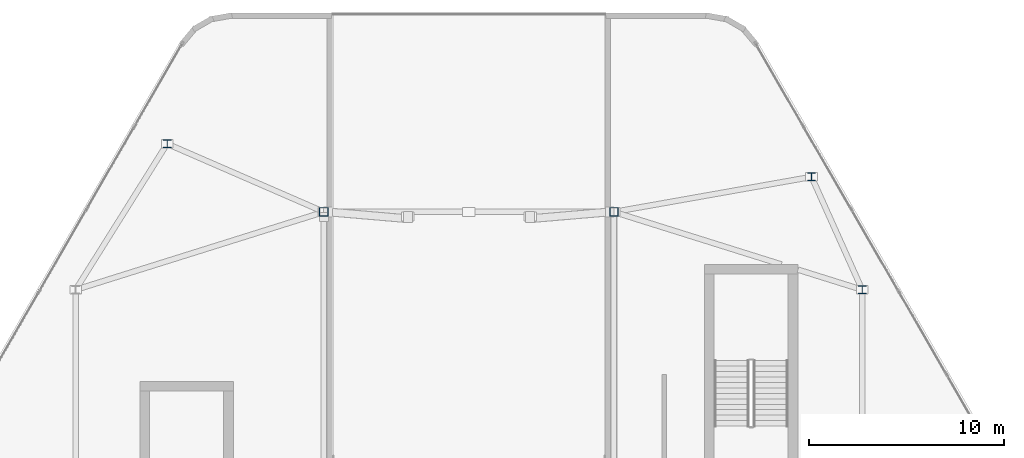
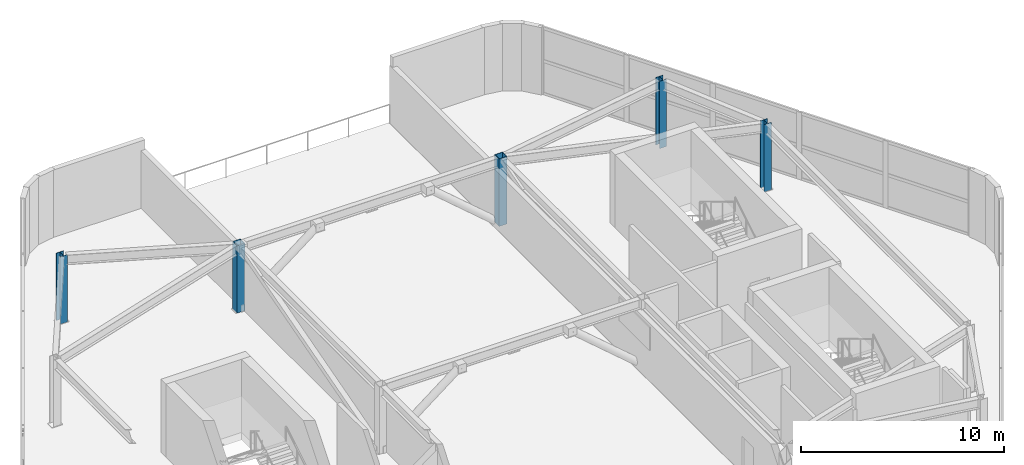
# One storey, part 2 of 17: 5 columns.
"""IFC4 building model written with IfcOpenShell, lengths in metres."""

from ifc_helpers import new_model, si_unit, direction, frame, origin, origin_2d, place, context, subcontext, project, spatial, hollow_rectangle, i_section, extrude, material, material_profile, profile_set, type_object, element, save


model = new_model("IFC4")

# Units and contexts
model_context = context("Model", 3, precision=1e-05, world=origin(), true_north=direction((0.0, 1.0)))
body_context = subcontext(model_context, "Body", "Model", "MODEL_VIEW")
ifc_project = project(units=[si_unit("LENGTHUNIT", "METRE"), si_unit("AREAUNIT", "SQUARE_METRE"), si_unit("VOLUMEUNIT", "CUBIC_METRE"), si_unit("PLANEANGLEUNIT", "RADIAN"), si_unit("MASSUNIT", "GRAM", prefix="KILO")], contexts=[model_context])

# Site, building, storey
site_placement = place(None, origin())
site = spatial("IfcSite", under=ifc_project, at=site_placement, CompositionType="ELEMENT")
building_placement = place(site_placement, origin())
building = spatial("IfcBuilding", under=site, at=building_placement, Name="Zuhravey Tower", CompositionType="ELEMENT")
storey_placement = place(building_placement, frame((0.0, 0.0, 361.39990234375)))
storey = spatial("IfcBuildingStorey", under=building, at=storey_placement, Name="L92", CompositionType="ELEMENT", Elevation=361.39990234375)

# Columns
ifc_material = material(Name="Steel SM355", Category="steel")
ifc_material_profile_1 = material_profile(ifc_material, i_section(OverallWidth=0.39990234375, OverallDepth=0.39990234375, WebThickness=0.012939453125, FlangeThickness=0.02099609375, at=origin_2d()), Name="H-400x400x13x21")
ifc_profile_set_1 = profile_set([ifc_material_profile_1], Name="Steel SM355")
column_type_1 = type_object("IfcColumnType", Name="Crown Crest Column H400x400", PredefinedType="COLUMN", material=ifc_profile_set_1)
for number, where, z_axis, x_axis, name in (
    (1, (20.5, 49.5, 0.0), (0.0, 0.0, 1.0), (1.0, 0.0, 0.0), "L92 West Crest Column WC4"),
    (2, (56.199951171875, 42.0, 0.0), (0.0, 0.0, 1.0), (1.0, 0.0, 0.0), "L92 East Crest Column EC2"),
    (3, (53.60009765625, 47.800048828125, 0.0), (0.0, 0.0, 1.0), (1.0, 0.0, 0.0), "L92 East Crest Column EC4"),
):
    element("IfcColumn", number, at=place(storey_placement, frame(where, z_axis=z_axis, x_axis=x_axis)), inside=storey, type_object=column_type_1, Name=name, PredefinedType="COLUMN", context=body_context, shape_type="SweptSolid", body=[
        extrude(i_section(OverallWidth=0.39990234375, OverallDepth=0.39990234375, WebThickness=0.012939453125, FlangeThickness=0.02099609375, at=origin_2d()), origin(), (0.0, 0.0, 1.0), 4.050048828125),
    ])
ifc_material_profile_2 = material_profile(ifc_material, hollow_rectangle(XDim=0.449951171875, YDim=0.449951171875, WallThickness=0.02197265625, at=origin_2d()), Name="RHS-450x450x22")
ifc_profile_set_2 = profile_set([ifc_material_profile_2], Name="Steel SM355")
column_type_2 = type_object("IfcColumnType", Name="Crown Portal Pilaster RHS450x450", PredefinedType="PILASTER", material=ifc_profile_set_2)
for number, where, z_axis, x_axis, name in (
    (4, (28.550048828125, 46.0, 0.0), (0.0, 0.0, 1.0), (1.0, 0.0, 0.0), "L92 West Crest Column WP3"),
    (5, (43.449951171875, 46.0, 0.0), (0.0, 0.0, 1.0), (1.0, 0.0, 0.0), "L92 East Crest Column EP3"),
):
    element("IfcColumn", number, at=place(storey_placement, frame(where, z_axis=z_axis, x_axis=x_axis)), inside=storey, type_object=column_type_2, Name=name, PredefinedType="PILASTER", context=body_context, shape_type="SweptSolid", body=[
        extrude(hollow_rectangle(XDim=0.449951171875, YDim=0.449951171875, WallThickness=0.02197265625, at=origin_2d()), origin(), (0.0, 0.0, 1.0), 4.050048828125),
    ])

save(model, "model.ifc")
